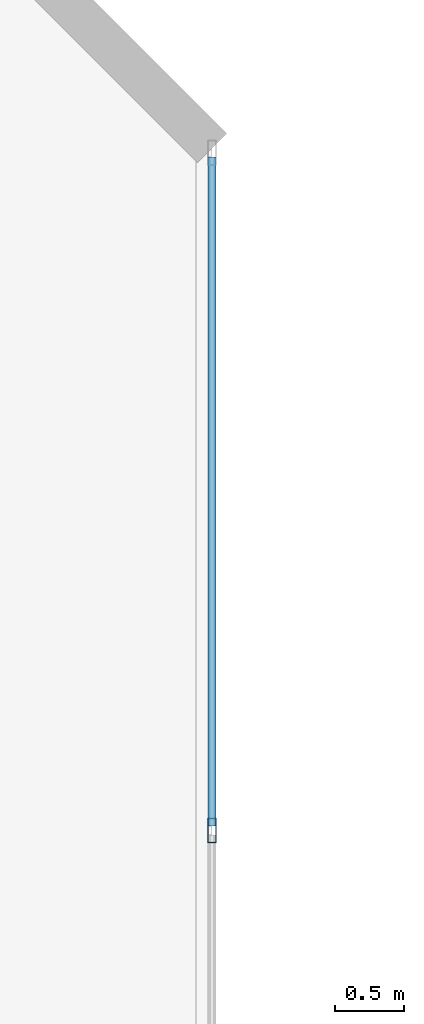
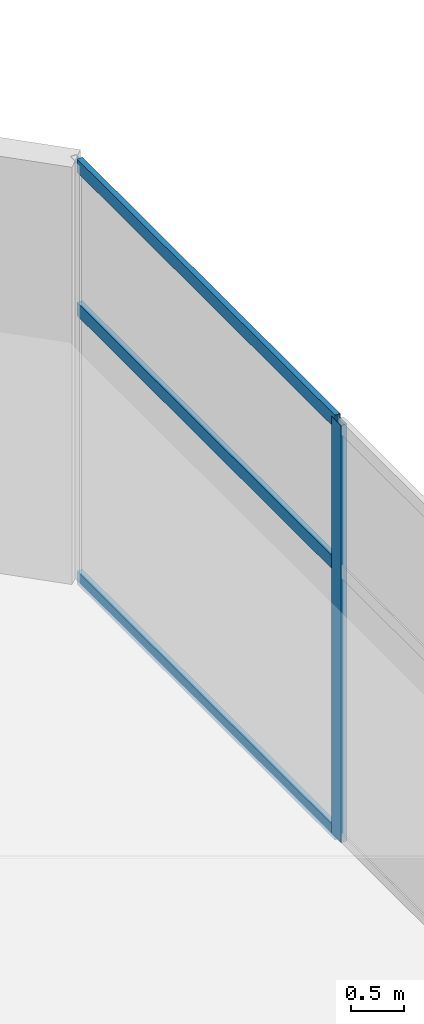
# One storey, part 12 of 23: 4 members, 1 element without a shape of its own.
"""IFC4 building model written with IfcOpenShell, lengths in metres."""

from ifc_helpers import new_model, si_unit, direction, frame, origin, origin_2d, place, context, subcontext, project, spatial, hollow_rectangle, extrude, material, layer, layer_set, material_profile, profile_set, type_object, element, aggregate, save


model = new_model("IFC4")

# Units and contexts
model_context = context("Model", 3, precision=1e-05, world=origin(), true_north=direction((0.0, 1.0)))
body_context = subcontext(model_context, "Body", "Model", "MODEL_VIEW")
ifc_project = project(units=[si_unit("LENGTHUNIT", "METRE"), si_unit("AREAUNIT", "SQUARE_METRE"), si_unit("VOLUMEUNIT", "CUBIC_METRE"), si_unit("PLANEANGLEUNIT", "RADIAN"), si_unit("MASSUNIT", "GRAM", prefix="KILO")], contexts=[model_context])

# Site, building, storey
site_placement = place(None, origin())
site = spatial("IfcSite", under=ifc_project, at=site_placement, CompositionType="ELEMENT")
building_placement = place(site_placement, origin())
building = spatial("IfcBuilding", under=site, at=building_placement, Name="Mawjaban Terraces University", CompositionType="ELEMENT")
storey_placement = place(building_placement, frame((0.0, 0.0, 98.39990234375)))
storey = spatial("IfcBuildingStorey", under=building, at=storey_placement, Name="L23", CompositionType="ELEMENT", Elevation=98.39990234375)

# Curtain wall, members
ifc_material_1 = material(Name="Anodised aluminium 6063-T6 and solar-control low-E glass", Category="aluminium")
ifc_layer = layer(ifc_material_1, 0.18994140625)
ifc_layer_set = layer_set([ifc_layer], Name="Anodised aluminium 6063-T6 and solar-control low-E glass")
curtain_wall_type = type_object("IfcCurtainWallType", Name="CWSystem_05_SkyLobby", PredefinedType="NOTDEFINED", material=ifc_layer_set)
curtain_wall_placement = place(storey_placement, origin())
curtain_wall = element("IfcCurtainWall", 1, at=curtain_wall_placement, inside=storey, type_object=curtain_wall_type, Name="L23 Curtain Wall CW-05 Run 6.1", PredefinedType="NOTDEFINED")
ifc_material_2 = material(Name="Anodised aluminium 6063-T6", Category="aluminium")
ifc_material_profile_1 = material_profile(ifc_material_2, hollow_rectangle(XDim=0.06494140625, YDim=0.179931640625, WallThickness=0.00390625, at=origin_2d()), Name="ALU180X65X4")
ifc_profile_set_1 = profile_set([ifc_material_profile_1], Name="Anodised aluminium 6063-T6")
member_type_1 = type_object("IfcMemberType", Name="Mullion_CW-05", PredefinedType="MULLION", material=ifc_profile_set_1)
member_1_placement = place(storey_placement, frame((52.800048828125, 20.949951171875, 0.0), z_axis=(0.0, 0.0, 1.0), x_axis=(-1.0, 0.0, 0.0)))
member_1 = element("IfcMember", 2, at=member_1_placement, type_object=member_type_1, Name="CW-05 mullion 2", PredefinedType="MULLION", context=body_context, shape_type="SweptSolid", body=[
    extrude(hollow_rectangle(XDim=0.06494140625, YDim=0.179931640625, WallThickness=0.00390625, at=origin_2d()), origin(), (0.0, 0.0, 1.0), 4.7900390625),
])
ifc_material_profile_2 = material_profile(ifc_material_2, hollow_rectangle(XDim=0.06005859375, YDim=0.14990234375, WallThickness=0.00390625, at=origin_2d()), Name="ALU150X60X4")
ifc_profile_set_2 = profile_set([ifc_material_profile_2], Name="Anodised aluminium 6063-T6")
member_type_2 = type_object("IfcMemberType", Name="Transom_CW-05", PredefinedType="NOTDEFINED", material=ifc_profile_set_2)
member_2_placement = place(storey_placement, frame((52.800048828125, 20.982421875, 0.030029296875), z_axis=(0.0, 1.0, 0.0), x_axis=(-1.0, 0.0, 0.0)))
member_2 = element("IfcMember", 3, at=member_2_placement, type_object=member_type_2, Name="CW-05 transom 2.1", ObjectType="TRANSOM", PredefinedType="USERDEFINED", context=body_context, shape_type="SweptSolid", body=[
    extrude(hollow_rectangle(XDim=0.06005859375, YDim=0.14990234375, WallThickness=0.00390625, at=origin_2d()), origin(), (0.0, 0.0, 1.0), 4.8525390625),
])
member_3_placement = place(storey_placement, frame((52.800048828125, 20.982421875, 3.113037109375), z_axis=(0.0, 1.0, 0.0), x_axis=(-1.0, 0.0, 0.0)))
member_3 = element("IfcMember", 4, at=member_3_placement, type_object=member_type_2, Name="CW-05 transom 2.2", ObjectType="TRANSOM", PredefinedType="USERDEFINED", context=body_context, shape_type="SweptSolid", body=[
    extrude(hollow_rectangle(XDim=0.06005859375, YDim=0.14990234375, WallThickness=0.00390625, at=origin_2d()), origin(), (0.0, 0.0, 1.0), 4.8525390625),
])
member_4_placement = place(storey_placement, frame((52.800048828125, 20.982421875, 4.760009765625), z_axis=(0.0, 1.0, 0.0), x_axis=(-1.0, 0.0, 0.0)))
member_4 = element("IfcMember", 5, at=member_4_placement, type_object=member_type_2, Name="CW-05 transom 2.3", ObjectType="TRANSOM", PredefinedType="USERDEFINED", context=body_context, shape_type="SweptSolid", body=[
    extrude(hollow_rectangle(XDim=0.06005859375, YDim=0.14990234375, WallThickness=0.00390625, at=origin_2d()), origin(), (0.0, 0.0, 1.0), 4.8525390625),
])
aggregate(curtain_wall, [member_1, member_2, member_3, member_4])

save(model, "model.ifc")
